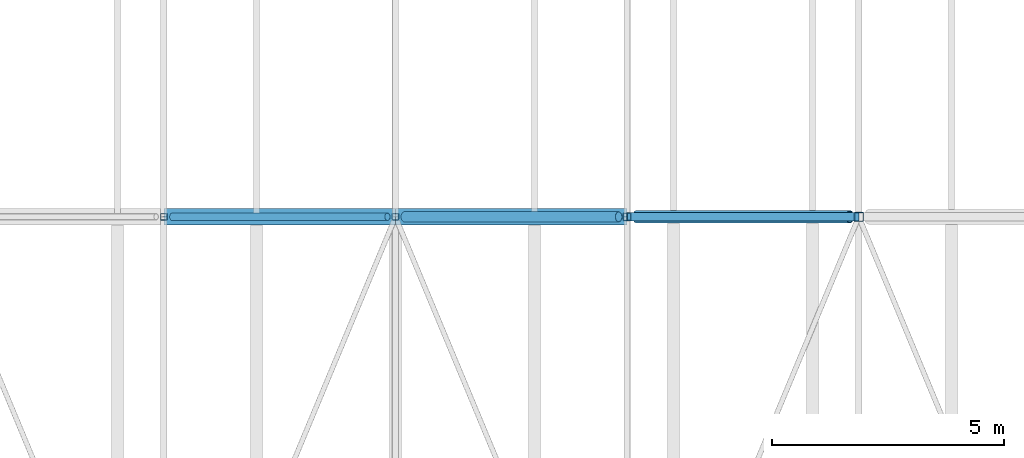
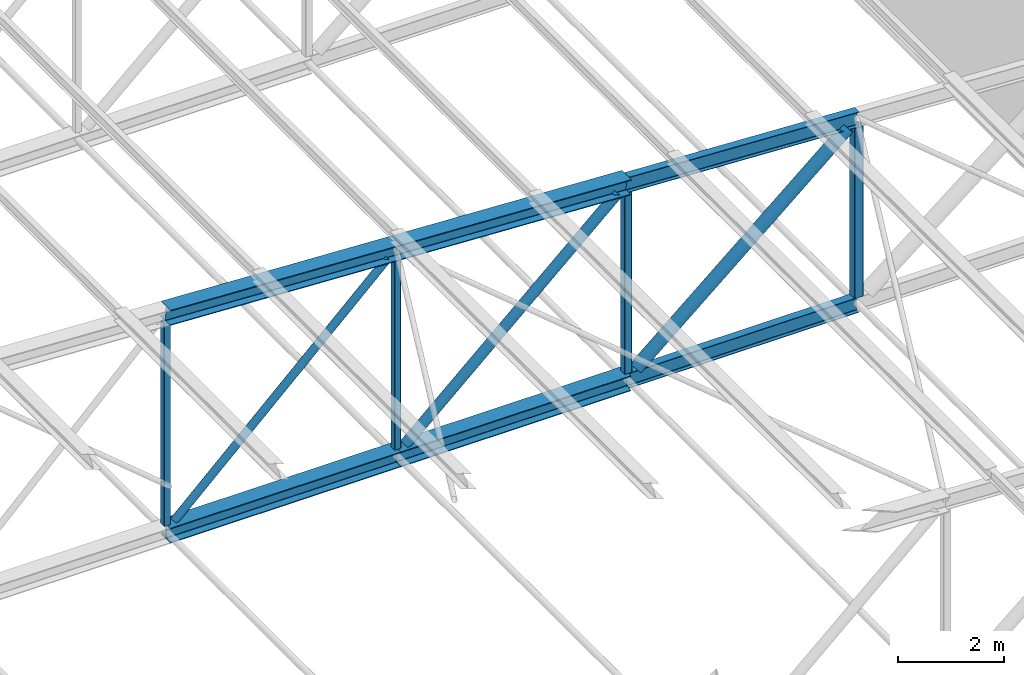
# One storey, part 121 of 156: 13 members.
"""IFC4 building model written with IfcOpenShell, lengths in metres."""

from ifc_helpers import new_model, si_unit, direction, frame, origin, origin_2d, place, context, subcontext, project, spatial, hollow_rectangle, hollow_circle, i_section, extrude, material, material_profile, profile_set, type_object, element, save


model = new_model("IFC4")

# Units and contexts
model_context = context("Model", 3, precision=1e-05, world=origin(), true_north=direction((0.0, 1.0)))
body_context = subcontext(model_context, "Body", "Model", "MODEL_VIEW")
ifc_project = project(units=[si_unit("LENGTHUNIT", "METRE"), si_unit("AREAUNIT", "SQUARE_METRE"), si_unit("VOLUMEUNIT", "CUBIC_METRE"), si_unit("PLANEANGLEUNIT", "RADIAN"), si_unit("MASSUNIT", "GRAM", prefix="KILO")], contexts=[model_context])

# Site, building, storey
site_placement = place(None, origin())
site = spatial("IfcSite", under=ifc_project, at=site_placement, CompositionType="ELEMENT")
building_placement = place(site_placement, origin())
building = spatial("IfcBuilding", under=site, at=building_placement, Name="Lilac Gate Convention Centre", CompositionType="ELEMENT")
storey_placement = place(building_placement, frame((0.0, 0.0, 17.0)))
storey = spatial("IfcBuildingStorey", under=building, at=storey_placement, Name="L03", CompositionType="ELEMENT", Elevation=17.0)

# Members
ifc_material = material(Name="Steel Q355B", Category="steel")
ifc_material_profile_1 = material_profile(ifc_material, i_section(OverallWidth=0.175048828125, OverallDepth=0.35009765625, WebThickness=0.007080078125, FlangeThickness=0.010986328125, FilletRadius=0.012939453125, at=origin_2d()), Name="HN350x175x7x11")
ifc_profile_set_1 = profile_set([ifc_material_profile_1], Name="Steel Q355B")
member_type_1 = type_object("IfcMemberType", Name="Truss bottom chord HN350x175x7x11", PredefinedType="CHORD", material=ifc_profile_set_1)
member_1_placement = place(storey_placement, frame((80.0, 186.0, 0.0), z_axis=(1.0, 0.0, 0.0), x_axis=(0.0, 1.0, 0.0)))
element("IfcMember", 1, at=member_1_placement, inside=storey, type_object=member_type_1, Name="TB1 truss 14 bottom chord 11", PredefinedType="CHORD", context=body_context, shape_type="SweptSolid", body=[
    extrude(i_section(OverallWidth=0.175048828125, OverallDepth=0.35009765625, WebThickness=0.007080078125, FlangeThickness=0.010986328125, FilletRadius=0.012939453125, at=origin_2d()), origin(), (0.0, 0.0, 1.0), 5.0),
])
ifc_material_profile_2 = material_profile(ifc_material, i_section(OverallWidth=0.35009765625, OverallDepth=0.35009765625, WebThickness=0.011962890625, FlangeThickness=0.01904296875, FilletRadius=0.012939453125, at=origin_2d()), Name="HW350x350x12x19")
ifc_profile_set_2 = profile_set([ifc_material_profile_2], Name="Steel Q355B")
member_type_2 = type_object("IfcMemberType", Name="Truss bottom chord HW350x350x12x19", PredefinedType="CHORD", material=ifc_profile_set_2)
for number, where, z_axis, x_axis, name in (
    (2, (70.0, 186.0, 0.0), (1.0, 0.0, 0.0), (0.0, 1.0, 0.0), "TB2 truss 14 bottom chord 9"),
    (3, (75.0, 186.0, 0.0), (1.0, 0.0, 0.0), (0.0, 1.0, 0.0), "TB2 truss 14 bottom chord 10"),
):
    element("IfcMember", number, at=place(storey_placement, frame(where, z_axis=z_axis, x_axis=x_axis)), inside=storey, type_object=member_type_2, Name=name, PredefinedType="CHORD", context=body_context, shape_type="SweptSolid", body=[
        extrude(i_section(OverallWidth=0.35009765625, OverallDepth=0.35009765625, WebThickness=0.011962890625, FlangeThickness=0.01904296875, FilletRadius=0.012939453125, at=origin_2d()), origin(), (0.0, 0.0, 1.0), 5.0),
    ])
ifc_material_profile_3 = material_profile(ifc_material, hollow_circle(Radius=0.084228515625, WallThickness=0.006103515625, at=origin_2d()), Name="CHS168.3x6")
ifc_profile_set_3 = profile_set([ifc_material_profile_3], Name="Steel Q355B")
member_type_3 = type_object("IfcMemberType", Name="Truss diagonal CHS168.3x6", PredefinedType="BRACE", material=ifc_profile_set_3)
member_2_placement = place(storey_placement, frame((74.8271484375, 186.0, 4.585693359375), z_axis=(-0.725020373275, 0.0, -0.688727419475), x_axis=(0.0, -1.0, 0.0)))
element("IfcMember", 4, at=member_2_placement, inside=storey, type_object=member_type_3, Name="TW4 truss 14 diagonal 9", PredefinedType="BRACE", context=body_context, shape_type="SweptSolid", body=[
    extrude(hollow_circle(Radius=0.084228515625, WallThickness=0.006103515625, at=origin_2d()), origin(), (0.0, 0.0, 1.0), 6.404052734375),
])
ifc_material_profile_4 = material_profile(ifc_material, hollow_circle(Radius=0.109619140625, WallThickness=0.008056640625, at=origin_2d()), Name="CHS219.1x8")
ifc_profile_set_4 = profile_set([ifc_material_profile_4], Name="Steel Q355B")
member_type_4 = type_object("IfcMemberType", Name="Truss diagonal CHS219.1x8", PredefinedType="BRACE", material=ifc_profile_set_4)
member_3_placement = place(storey_placement, frame((79.8173828125, 186.0, 4.335693359375), z_axis=(-0.743301953498, 0.0, -0.668956056797), x_axis=(0.0, -1.0, 0.0)))
element("IfcMember", 5, at=member_3_placement, inside=storey, type_object=member_type_4, Name="TW3 truss 14 diagonal 10", PredefinedType="BRACE", context=body_context, shape_type="SweptSolid", body=[
    extrude(hollow_circle(Radius=0.109619140625, WallThickness=0.008056640625, at=origin_2d()), origin(), (0.0, 0.0, 1.0), 6.2197265625),
])
ifc_material_profile_5 = material_profile(ifc_material, hollow_circle(Radius=0.136474609375, WallThickness=0.010009765625, at=origin_2d()), Name="CHS273x10")
ifc_profile_set_5 = profile_set([ifc_material_profile_5], Name="Steel Q355B")
member_type_5 = type_object("IfcMemberType", Name="Truss diagonal CHS273x10", PredefinedType="BRACE", material=ifc_profile_set_5)
member_4_placement = place(storey_placement, frame((84.806884765625, 186.0, 4.085693359375), z_axis=(-0.761961263863, 0.0, -0.647622600263), x_axis=(0.0, -1.0, 0.0)))
element("IfcMember", 6, at=member_4_placement, inside=storey, type_object=member_type_5, Name="TW2 truss 14 diagonal 11", PredefinedType="BRACE", context=body_context, shape_type="SweptSolid", body=[
    extrude(hollow_circle(Radius=0.136474609375, WallThickness=0.010009765625, at=origin_2d()), origin(), (0.0, 0.0, 1.0), 6.03857421875),
])
ifc_material_profile_6 = material_profile(ifc_material, i_section(OverallWidth=0.175048828125, OverallDepth=0.35009765625, WebThickness=0.007080078125, FlangeThickness=0.010986328125, FilletRadius=0.012939453125, at=origin_2d()), Name="HN350x175x7x11")
ifc_profile_set_6 = profile_set([ifc_material_profile_6], Name="Steel Q355B")
member_type_6 = type_object("IfcMemberType", Name="Truss top chord HN350x175x7x11", PredefinedType="CHORD", material=ifc_profile_set_6)
member_5_placement = place(storey_placement, frame((80.0, 186.0, 4.5), z_axis=(0.998752338878, 0.0, -0.049937616944), x_axis=(0.0, 1.0, 0.0)))
element("IfcMember", 7, at=member_5_placement, inside=storey, type_object=member_type_6, Name="TT1 truss 14 top chord 11", PredefinedType="CHORD", context=body_context, shape_type="SweptSolid", body=[
    extrude(i_section(OverallWidth=0.175048828125, OverallDepth=0.35009765625, WebThickness=0.007080078125, FlangeThickness=0.010986328125, FilletRadius=0.012939453125, at=origin_2d()), origin(), (0.0, 0.0, 1.0), 5.00634765625),
])
ifc_material_profile_7 = material_profile(ifc_material, i_section(OverallWidth=0.35009765625, OverallDepth=0.35009765625, WebThickness=0.011962890625, FlangeThickness=0.01904296875, FilletRadius=0.012939453125, at=origin_2d()), Name="HW350x350x12x19")
ifc_profile_set_7 = profile_set([ifc_material_profile_7], Name="Steel Q355B")
member_type_7 = type_object("IfcMemberType", Name="Truss top chord HW350x350x12x19", PredefinedType="CHORD", material=ifc_profile_set_7)
for number, where, z_axis, x_axis, name in (
    (8, (70.0, 186.0, 5.0), (0.998752338878, 0.0, -0.049937616944), (0.0, 1.0, 0.0), "TT2 truss 14 top chord 9"),
    (9, (75.0, 186.0, 4.75), (0.998752338878, 0.0, -0.049937616944), (0.0, 1.0, 0.0), "TT2 truss 14 top chord 10"),
):
    element("IfcMember", number, at=place(storey_placement, frame(where, z_axis=z_axis, x_axis=x_axis)), inside=storey, type_object=member_type_7, Name=name, PredefinedType="CHORD", context=body_context, shape_type="SweptSolid", body=[
        extrude(i_section(OverallWidth=0.35009765625, OverallDepth=0.35009765625, WebThickness=0.011962890625, FlangeThickness=0.01904296875, FilletRadius=0.012939453125, at=origin_2d()), origin(), (0.0, 0.0, 1.0), 5.00634765625),
    ])
ifc_material_profile_8 = material_profile(ifc_material, hollow_rectangle(XDim=0.139892578125, YDim=0.139892578125, WallThickness=0.0048828125, InnerFilletRadius=0.0048828125, OuterFilletRadius=0.010009765625, at=origin_2d()), Name="SHS140x140x5")
ifc_profile_set_8 = profile_set([ifc_material_profile_8], Name="Steel Q355B")
member_type_8 = type_object("IfcMemberType", Name="Truss vertical SHS140x140x5", PredefinedType="STRUT", material=ifc_profile_set_8)
member_6_placement = place(storey_placement, frame((70.0, 186.0, 0.175048828125), z_axis=(0.0, 0.0, 1.0), x_axis=(1.0, 0.0, 0.0)))
element("IfcMember", 10, at=member_6_placement, inside=storey, type_object=member_type_8, Name="TV4 truss 14 vertical 9", PredefinedType="STRUT", context=body_context, shape_type="SweptSolid", body=[
    extrude(hollow_rectangle(XDim=0.139892578125, YDim=0.139892578125, WallThickness=0.0048828125, InnerFilletRadius=0.0048828125, OuterFilletRadius=0.010009765625, at=origin_2d()), origin(), (0.0, 0.0, 1.0), 4.649658203125),
])
member_7_placement = place(storey_placement, frame((75.0, 186.0, 0.175048828125), z_axis=(0.0, 0.0, 1.0), x_axis=(1.0, 0.0, 0.0)))
element("IfcMember", 11, at=member_7_placement, inside=storey, type_object=member_type_8, Name="TV4 truss 14 vertical 10", PredefinedType="STRUT", context=body_context, shape_type="SweptSolid", body=[
    extrude(hollow_rectangle(XDim=0.139892578125, YDim=0.139892578125, WallThickness=0.0048828125, InnerFilletRadius=0.0048828125, OuterFilletRadius=0.010009765625, at=origin_2d()), origin(), (0.0, 0.0, 1.0), 4.399658203125),
])
ifc_material_profile_9 = material_profile(ifc_material, hollow_rectangle(XDim=0.159912109375, YDim=0.159912109375, WallThickness=0.006103515625, InnerFilletRadius=0.006103515625, OuterFilletRadius=0.011962890625, at=origin_2d()), Name="SHS160x160x6")
ifc_profile_set_9 = profile_set([ifc_material_profile_9], Name="Steel Q355B")
member_type_9 = type_object("IfcMemberType", Name="Truss vertical SHS160x160x6", PredefinedType="STRUT", material=ifc_profile_set_9)
member_8_placement = place(storey_placement, frame((80.0, 186.0, 0.175048828125), z_axis=(0.0, 0.0, 1.0), x_axis=(1.0, 0.0, 0.0)))
element("IfcMember", 12, at=member_8_placement, inside=storey, type_object=member_type_9, Name="TV3 truss 14 vertical 11", PredefinedType="STRUT", context=body_context, shape_type="SweptSolid", body=[
    extrude(hollow_rectangle(XDim=0.159912109375, YDim=0.159912109375, WallThickness=0.006103515625, InnerFilletRadius=0.006103515625, OuterFilletRadius=0.011962890625, at=origin_2d()), origin(), (0.0, 0.0, 1.0), 4.149658203125),
])
ifc_material_profile_10 = material_profile(ifc_material, hollow_rectangle(XDim=0.199951171875, YDim=0.199951171875, WallThickness=0.008056640625, InnerFilletRadius=0.011962890625, OuterFilletRadius=0.02001953125, at=origin_2d()), Name="SHS200x200x8")
ifc_profile_set_10 = profile_set([ifc_material_profile_10], Name="Steel Q355B")
member_type_10 = type_object("IfcMemberType", Name="Truss vertical SHS200x200x8", PredefinedType="STRUT", material=ifc_profile_set_10)
member_9_placement = place(storey_placement, frame((85.0, 186.0, 0.175048828125), z_axis=(0.0, 0.0, 1.0), x_axis=(1.0, 0.0, 0.0)))
element("IfcMember", 13, at=member_9_placement, inside=storey, type_object=member_type_10, Name="TV2 truss 14 vertical 12", PredefinedType="STRUT", context=body_context, shape_type="SweptSolid", body=[
    extrude(hollow_rectangle(XDim=0.199951171875, YDim=0.199951171875, WallThickness=0.008056640625, InnerFilletRadius=0.011962890625, OuterFilletRadius=0.02001953125, at=origin_2d()), origin(), (0.0, 0.0, 1.0), 3.899658203125),
])

save(model, "model.ifc")
